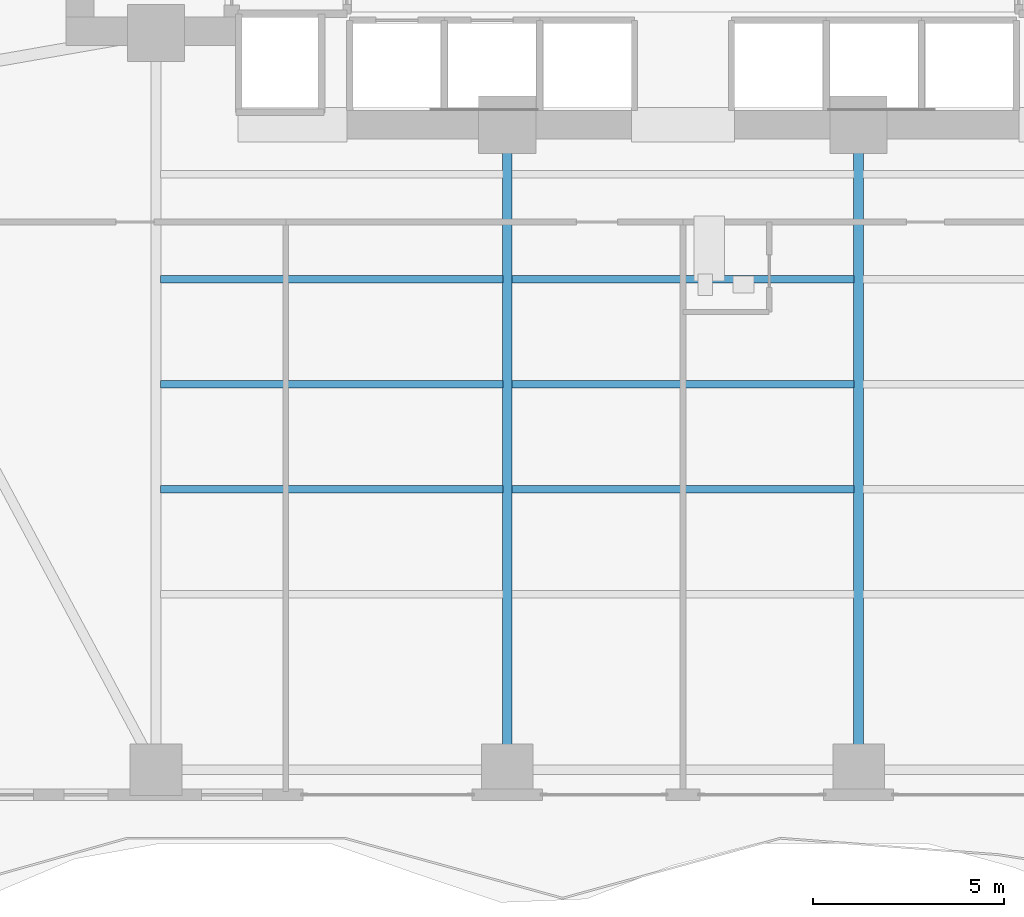
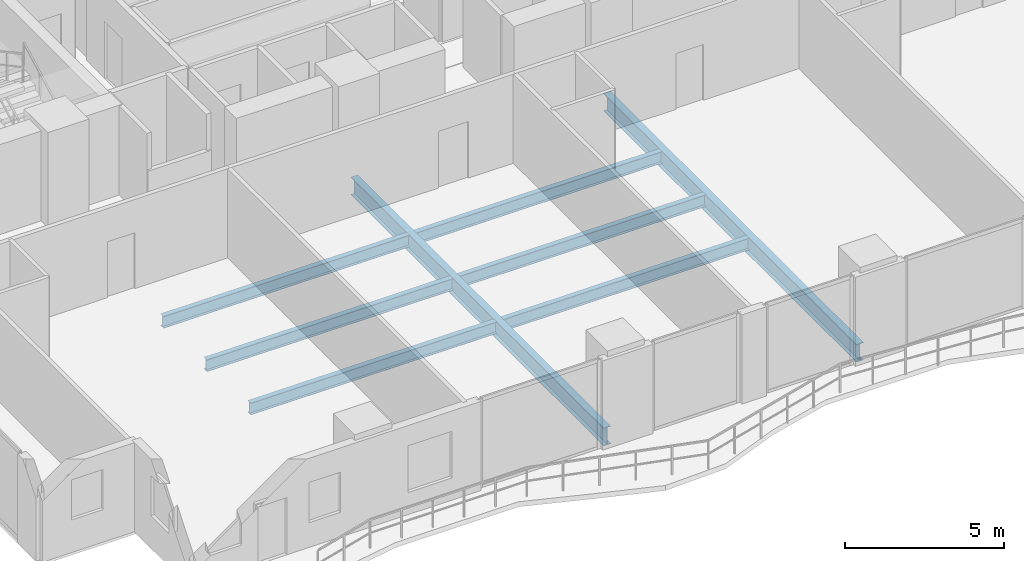
# One storey, part 6 of 30: 8 beams.
"""IFC4 building model written with IfcOpenShell, lengths in metres."""

from ifc_helpers import new_model, si_unit, direction, frame, origin, origin_2d, place, context, subcontext, project, spatial, i_section, extrude, material, material_profile, profile_set, type_object, element, save


model = new_model("IFC4")

# Units and contexts
model_context = context("Model", 3, precision=1e-05, world=origin(), true_north=direction((0.0, 1.0)))
body_context = subcontext(model_context, "Body", "Model", "MODEL_VIEW")
ifc_project = project(units=[si_unit("LENGTHUNIT", "METRE"), si_unit("AREAUNIT", "SQUARE_METRE"), si_unit("VOLUMEUNIT", "CUBIC_METRE"), si_unit("PLANEANGLEUNIT", "RADIAN"), si_unit("MASSUNIT", "GRAM", prefix="KILO")], contexts=[model_context])

# Site, building, storey
site_placement = place(None, origin())
site = spatial("IfcSite", under=ifc_project, at=site_placement, CompositionType="ELEMENT")
building_placement = place(site_placement, origin())
building = spatial("IfcBuilding", under=site, at=building_placement, Name="Zuhayl Quay Hotel", CompositionType="ELEMENT")
storey_placement = place(building_placement, frame((0.0, 0.0, 135.800048828125)))
storey = spatial("IfcBuildingStorey", under=building, at=storey_placement, Name="L34", CompositionType="ELEMENT", Elevation=135.800048828125)

# Beams
ifc_material = material(Name="Steel ASTM A992 Grade 50", Category="steel")
ifc_material_profile_1 = material_profile(ifc_material, i_section(OverallWidth=0.25390625, OverallDepth=0.68310546875, WebThickness=0.012451171875, FlangeThickness=0.018798828125, at=origin_2d()), Name="W27X94")
ifc_profile_set_1 = profile_set([ifc_material_profile_1], Name="Steel ASTM A992 Grade 50")
beam_type_1 = type_object("IfcBeamType", Name="BM_B2_W27X94", PredefinedType="BEAM", material=ifc_profile_set_1)
for number, where, z_axis, x_axis, name in (
    (1, (-4.60009765625, -14.25, -0.5615234375), (0.0, 1.0, 0.0), (-1.0, 0.0, 0.0), "L34 Floor Beam FG_S_L34_2"),
    (2, (4.60009765625, -14.25, -0.5615234375), (0.0, 1.0, 0.0), (-1.0, 0.0, 0.0), "L34 Floor Beam FG_S_L34_3"),
):
    element("IfcBeam", number, at=place(storey_placement, frame(where, z_axis=z_axis, x_axis=x_axis)), inside=storey, type_object=beam_type_1, Name=name, PredefinedType="BEAM", context=body_context, shape_type="SweptSolid", body=[
        extrude(i_section(OverallWidth=0.25390625, OverallDepth=0.68310546875, WebThickness=0.012451171875, FlangeThickness=0.018798828125, at=origin_2d()), origin(), (0.0, 0.0, 1.0), 15.949951171875),
    ])
ifc_material_profile_2 = material_profile(ifc_material, i_section(OverallWidth=0.18994140625, OverallDepth=0.45703125, WebThickness=0.009033203125, FlangeThickness=0.014404296875, at=origin_2d()), Name="W18X50")
ifc_profile_set_2 = profile_set([ifc_material_profile_2], Name="Steel ASTM A992 Grade 50")
beam_type_2 = type_object("IfcBeamType", Name="BM_J2_W18X50", PredefinedType="JOIST", material=ifc_profile_set_2)
for number, where, z_axis, x_axis, name in (
    (3, (-13.680908203125, -7.39990234375, -0.448486328125), (1.0, 0.0, 0.0), (0.0, 1.0, 0.0), "L34 Floor Beam FJ_L34_6_1"),
    (4, (-4.48095703125, -7.39990234375, -0.448486328125), (1.0, 0.0, 0.0), (0.0, 1.0, 0.0), "L34 Floor Beam FJ_L34_6_2"),
    (5, (-13.680908203125, -4.64990234375, -0.448486328125), (1.0, 0.0, 0.0), (0.0, 1.0, 0.0), "L34 Floor Beam FJ_L34_7_1"),
    (6, (-4.48095703125, -4.64990234375, -0.448486328125), (1.0, 0.0, 0.0), (0.0, 1.0, 0.0), "L34 Floor Beam FJ_L34_7_2"),
    (7, (-13.680908203125, -1.89990234375, -0.448486328125), (1.0, 0.0, 0.0), (0.0, 1.0, 0.0), "L34 Floor Beam FJ_L34_8_1"),
    (8, (-4.48095703125, -1.89990234375, -0.448486328125), (1.0, 0.0, 0.0), (0.0, 1.0, 0.0), "L34 Floor Beam FJ_L34_8_2"),
):
    element("IfcBeam", number, at=place(storey_placement, frame(where, z_axis=z_axis, x_axis=x_axis)), inside=storey, type_object=beam_type_2, Name=name, PredefinedType="JOIST", context=body_context, shape_type="SweptSolid", body=[
        extrude(i_section(OverallWidth=0.18994140625, OverallDepth=0.45703125, WebThickness=0.009033203125, FlangeThickness=0.014404296875, at=origin_2d()), origin(), (0.0, 0.0, 1.0), 8.9619140625),
    ])

save(model, "model.ifc")
